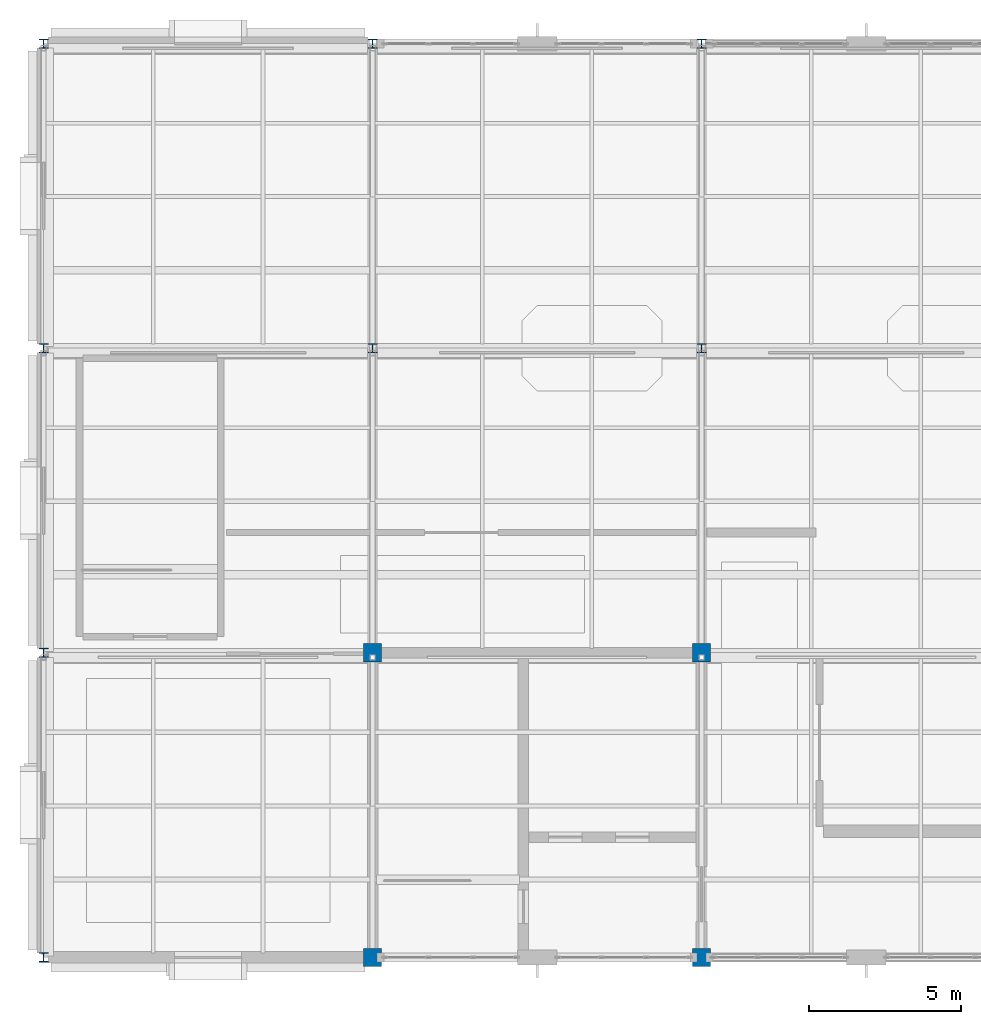
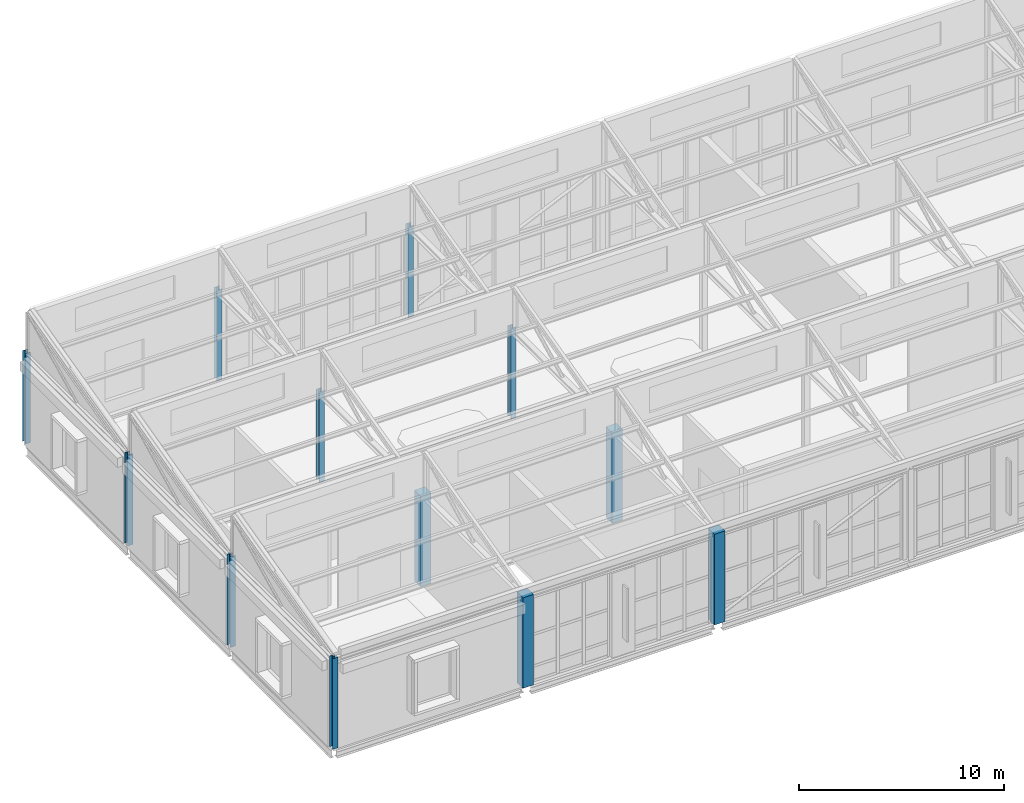
# One storey, part 1 of 49: 12 columns.
"""IFC4 building model written with IfcOpenShell, lengths in metres."""

from ifc_helpers import new_model, si_unit, direction, frame, origin, origin_2d, place, context, subcontext, project, spatial, rectangle, i_section, extrude, material, material_profile, profile_set, type_object, element, save


model = new_model("IFC4")

# Units and contexts
model_context = context("Model", 3, precision=1e-05, world=origin(), true_north=direction((0.0, 1.0)))
body_context = subcontext(model_context, "Body", "Model", "MODEL_VIEW")
ifc_project = project(units=[si_unit("LENGTHUNIT", "METRE"), si_unit("AREAUNIT", "SQUARE_METRE"), si_unit("VOLUMEUNIT", "CUBIC_METRE"), si_unit("PLANEANGLEUNIT", "RADIAN"), si_unit("MASSUNIT", "GRAM", prefix="KILO")], contexts=[model_context])

# Site, building, storey
site_placement = place(None, origin())
site = spatial("IfcSite", under=ifc_project, at=site_placement, CompositionType="ELEMENT")
building_placement = place(site_placement, origin())
building = spatial("IfcBuilding", under=site, at=building_placement, Name="Tasgan Crest Museum", CompositionType="ELEMENT")
storey_placement = place(building_placement, frame((0.0, 0.0, 28.800048828125)))
storey = spatial("IfcBuildingStorey", under=building, at=storey_placement, Name="L05", CompositionType="ELEMENT", Elevation=28.800048828125)

# Columns
ifc_material_1 = material(Name="Steel S355J2", Category="steel")
ifc_material_profile_1 = material_profile(ifc_material_1, i_section(OverallWidth=0.300048828125, OverallDepth=0.300048828125, WebThickness=0.010986328125, FlangeThickness=0.01904296875, FilletRadius=0.027099609375, at=origin_2d()), Name="HEB 300")
ifc_profile_set_1 = profile_set([ifc_material_profile_1], Name="Steel S355J2")
column_type_1 = type_object("IfcColumnType", Name="COL-HEB300", PredefinedType="COLUMN", material=ifc_profile_set_1)
for number, where, z_axis, x_axis, name in (
    (1, (0.0, 82.0, 0.0), (0.0, 0.0, 1.0), (1.0, 0.0, 0.0), "Column 1/J L05"),
    (2, (0.0, 92.0, 0.0), (0.0, 0.0, 1.0), (1.0, 0.0, 0.0), "Column 1/K L05"),
    (3, (0.0, 102.0, 0.0), (0.0, 0.0, 1.0), (1.0, 0.0, 0.0), "Column 1/L L05"),
    (4, (0.0, 112.0, 0.0), (0.0, 0.0, 1.0), (1.0, 0.0, 0.0), "Column 1/M L05"),
    (5, (10.800048828125, 102.0, 0.0), (0.0, 0.0, 1.0), (1.0, 0.0, 0.0), "Column 2/L L05"),
    (6, (10.800048828125, 112.0, 0.0), (0.0, 0.0, 1.0), (1.0, 0.0, 0.0), "Column 2/M L05"),
    (7, (21.60009765625, 102.0, 0.0), (0.0, 0.0, 1.0), (1.0, 0.0, 0.0), "Column 3/L L05"),
    (8, (21.60009765625, 112.0, 0.0), (0.0, 0.0, 1.0), (1.0, 0.0, 0.0), "Column 3/M L05"),
):
    element("IfcColumn", number, at=place(storey_placement, frame(where, z_axis=z_axis, x_axis=x_axis)), inside=storey, type_object=column_type_1, Name=name, PredefinedType="COLUMN", context=body_context, shape_type="SweptSolid", body=[
        extrude(i_section(OverallWidth=0.300048828125, OverallDepth=0.300048828125, WebThickness=0.010986328125, FlangeThickness=0.01904296875, FilletRadius=0.027099609375, at=origin_2d()), origin(), (0.0, 0.0, 1.0), 5.39990234375),
    ])
ifc_material_2 = material(Name="Concrete C40/50", Category="concrete")
ifc_material_profile_2 = material_profile(ifc_material_2, rectangle(XDim=0.60009765625, YDim=0.60009765625, at=origin_2d()), Name="RC 600x600")
ifc_profile_set_2 = profile_set([ifc_material_profile_2], Name="Concrete C40/50")
column_type_2 = type_object("IfcColumnType", Name="COL-RC600", PredefinedType="COLUMN", material=ifc_profile_set_2)
for number, where, z_axis, x_axis, name in (
    (9, (10.800048828125, 82.0, 0.0), (0.0, 0.0, 1.0), (1.0, 0.0, 0.0), "Column 2/J L05"),
    (10, (10.800048828125, 92.0, 0.0), (0.0, 0.0, 1.0), (1.0, 0.0, 0.0), "Column 2/K L05"),
    (11, (21.60009765625, 82.0, 0.0), (0.0, 0.0, 1.0), (1.0, 0.0, 0.0), "Column 3/J L05"),
    (12, (21.60009765625, 92.0, 0.0), (0.0, 0.0, 1.0), (1.0, 0.0, 0.0), "Column 3/K L05"),
):
    element("IfcColumn", number, at=place(storey_placement, frame(where, z_axis=z_axis, x_axis=x_axis)), inside=storey, type_object=column_type_2, Name=name, PredefinedType="COLUMN", context=body_context, shape_type="SweptSolid", body=[
        extrude(rectangle(XDim=0.60009765625, YDim=0.60009765625, at=origin_2d()), origin(), (0.0, 0.0, 1.0), 5.39990234375),
    ])

save(model, "model.ifc")
